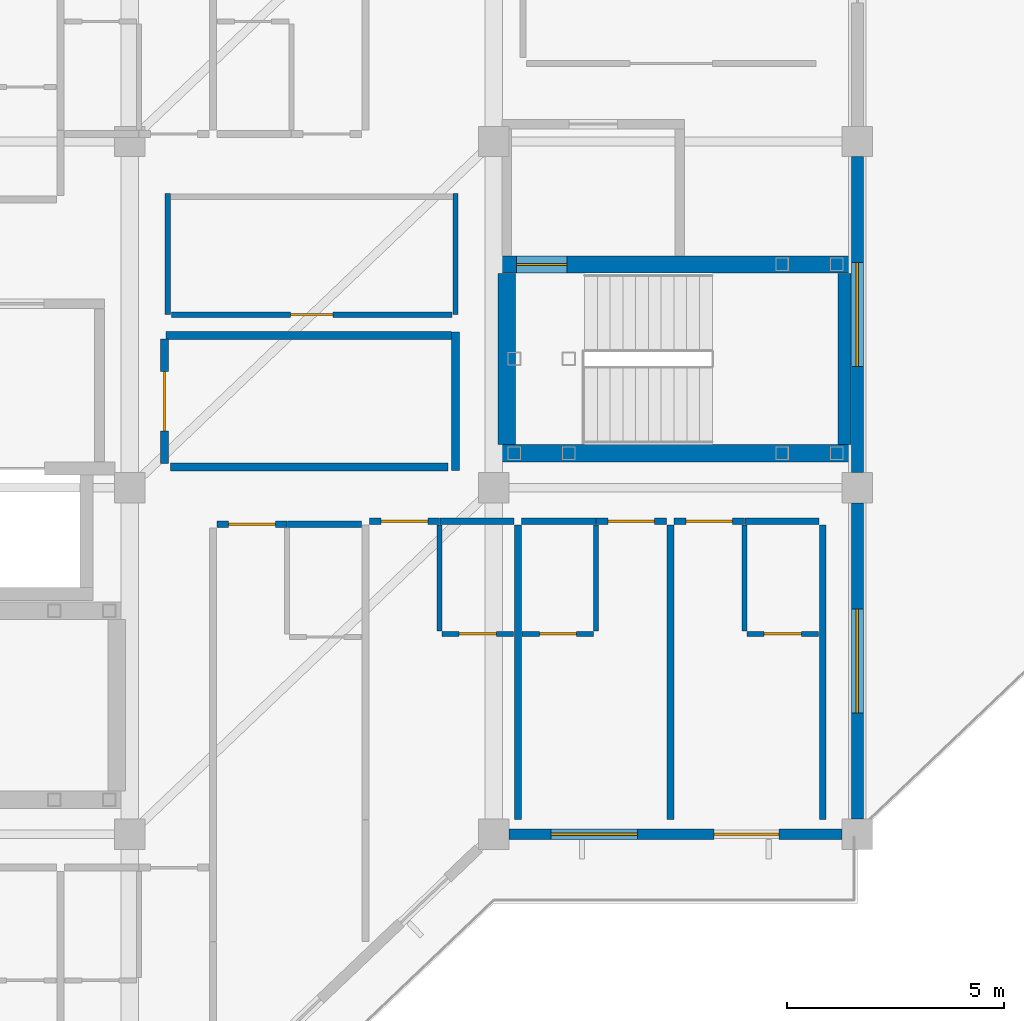
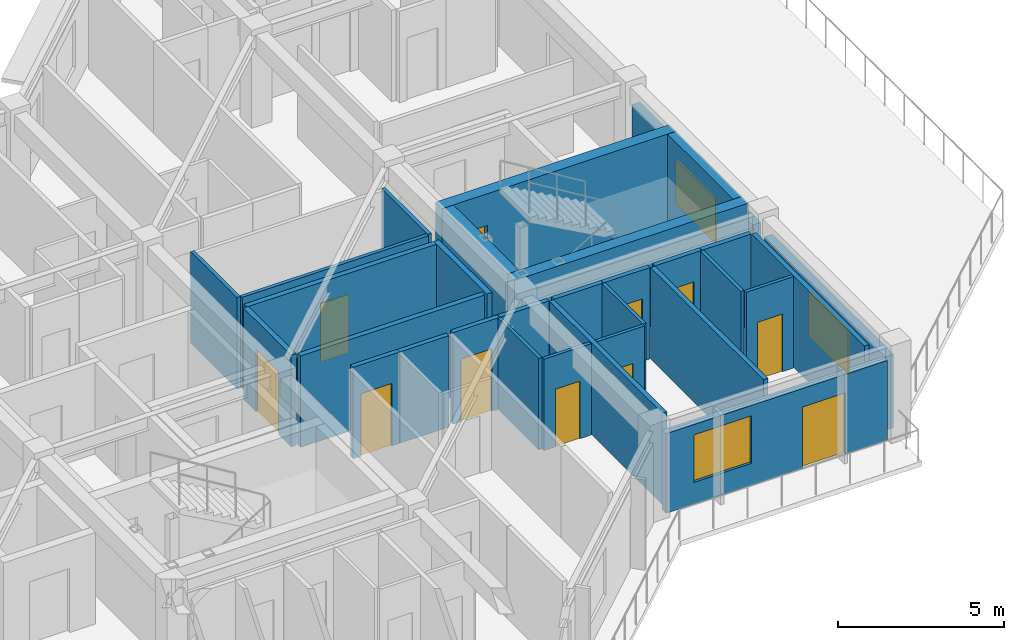
# One storey, part 10 of 16: 31 walls, 11 doors, 3 windows, 14 openings.
"""IFC4 building model written with IfcOpenShell, lengths in metres."""

from ifc_helpers import new_model, si_unit, direction, frame, frame_2d, origin, place, context, subcontext, project, spatial, rectangle, extrude, material, layer, layer_set, type_object, element, fill, save


model = new_model("IFC4")

# Units and contexts
model_context = context("Model", 3, precision=1e-05, world=origin(), true_north=direction((0.0, 1.0)))
body_context = subcontext(model_context, "Body", "Model", "MODEL_VIEW")
ifc_project = project(units=[si_unit("LENGTHUNIT", "METRE"), si_unit("AREAUNIT", "SQUARE_METRE"), si_unit("VOLUMEUNIT", "CUBIC_METRE"), si_unit("PLANEANGLEUNIT", "RADIAN"), si_unit("MASSUNIT", "GRAM", prefix="KILO")], contexts=[model_context])

# Site, building, storey
site_placement = place(None, origin())
site = spatial("IfcSite", under=ifc_project, at=site_placement, CompositionType="ELEMENT")
building_placement = place(site_placement, origin())
building = spatial("IfcBuilding", under=site, at=building_placement, Name="Naruveol Harbour Congress Hotel", CompositionType="ELEMENT")
storey_placement = place(building_placement, frame((0.0, 0.0, 28.800048828125)))
storey = spatial("IfcBuildingStorey", under=building, at=storey_placement, Name="L06", CompositionType="ELEMENT", Elevation=28.800048828125)

# Wall, opening, door
ifc_material_1 = material(Name="Autoclaved Aerated Concrete Block", Category="concrete")
ifc_layer_1 = layer(ifc_material_1, 0.179931640625)
ifc_layer_set_1 = layer_set([ifc_layer_1], Name="Autoclaved Aerated Concrete Block")
wall_type_1 = type_object("IfcWallType", Name="ACOUSTIC HALL PARTITION WALL 180 EI60", PredefinedType="PARTITIONING", material=ifc_layer_set_1)
wall_1_placement = place(storey_placement, frame((160.39990234375, 24.56005859375, 0.0), z_axis=(0.0, 0.0, 1.0), x_axis=(0.0, 1.0, 0.0)))
wall_1 = element("IfcWall", 1, at=wall_1_placement, inside=storey, type_object=wall_type_1, Name="Club Boardroom west entry wall PW-180", PredefinedType="PARTITIONING", context=body_context, shape_type="SweptSolid", body=[
    extrude(rectangle(XDim=2.8798828125, YDim=0.179931640625, at=frame_2d((1.43994140625, 0.0))), origin(), (0.0, 0.0, 1.0), 3.364990234375),
])
opening_1_placement = place(wall_1_placement, frame((0.75, 0.0, 0.0)))
opening_1 = element("IfcOpeningElement", 2, at=opening_1_placement, cuts=wall_1, Name="Opening ID-BD-109", PredefinedType="OPENING", context=body_context, shape_type="SweptSolid", body=[
    extrude(rectangle(XDim=1.3798828125, YDim=2.300048828125, at=frame_2d((0.68994140625, 1.14990234375))), frame((0.0, 0.099853515625, 0.0), z_axis=(0.0, -1.0, 0.0), x_axis=(1.0, 0.0, 0.0)), (0.0, 0.0, 1.0), 0.199951171875),
])
ifc_material_2 = material(Name="Timber & Steel Acoustic Leaf", Category="steel")
door_type_1 = type_object("IfcDoorType", Name="BOARDROOM GLAZED DOUBLE DOOR 1380X2300", OperationType="DOUBLE_DOOR_SINGLE_SWING", PredefinedType="DOOR", material=ifc_material_2)
door_1_placement = place(opening_1_placement, origin())
door_1 = element("IfcDoor", 3, at=door_1_placement, inside=storey, type_object=door_type_1, Name="Club Boardroom Entrance Door", OperationType="DOUBLE_DOOR_SINGLE_SWING", OverallHeight=2.300048828125, OverallWidth=1.3798828125, PredefinedType="DOOR", context=body_context, shape_type="SweptSolid", body=[
    extrude(rectangle(XDim=1.3798828125, YDim=2.300048828125, at=frame_2d((0.68994140625, 1.14990234375))), frame((0.0, 0.02490234375, 0.0), z_axis=(0.0, -1.0, 0.0), x_axis=(1.0, 0.0, 0.0)), (0.0, 0.0, 1.0), 0.050048828125),
])
fill(opening_1, door_1)

# Walls
wall_2_placement = place(storey_placement, frame((160.5400390625, 24.47998046875, 0.0), z_axis=(0.0, 0.0, 1.0), x_axis=(1.0, 0.0, 0.0)))
element("IfcWall", 4, at=wall_2_placement, inside=storey, type_object=wall_type_1, Name="Club Boardroom south partition PW-180", PredefinedType="PARTITIONING", context=body_context, shape_type="SweptSolid", body=[
    extrude(rectangle(XDim=6.409912109375, YDim=0.179931640625, at=frame_2d((3.205078125, 0.0))), origin(), (0.0, 0.0, 1.0), 3.364990234375),
])
wall_3_placement = place(storey_placement, frame((167.1201171875, 24.39990234375, 0.0), z_axis=(0.0, 0.0, 1.0), x_axis=(0.0, 1.0, 0.0)))
element("IfcWall", 5, at=wall_3_placement, inside=storey, type_object=wall_type_1, Name="Club Boardroom east enclosure partition PW-180", PredefinedType="PARTITIONING", context=body_context, shape_type="SweptSolid", body=[
    extrude(rectangle(XDim=3.2001953125, YDim=0.179931640625, at=frame_2d((1.60009765625, 0.0))), origin(), (0.0, 0.0, 1.0), 3.364990234375),
])
wall_4_placement = place(storey_placement, frame((160.431884765625, 27.52001953125, 0.0), z_axis=(0.0, 0.0, 1.0), x_axis=(1.0, 0.0, 0.0)))
element("IfcWall", 6, at=wall_4_placement, inside=storey, type_object=wall_type_1, Name="Club Boardroom north enclosure partition PW-180", PredefinedType="PARTITIONING", context=body_context, shape_type="SweptSolid", body=[
    extrude(rectangle(XDim=6.59814453125, YDim=0.179931640625, at=frame_2d((3.299072265625, 0.0))), origin(), (0.0, 0.0, 1.0), 3.364990234375),
])

# Wall, opening, window
ifc_material_3 = material(Name="Precast concrete C40/50", Category="concrete")
ifc_layer_2 = layer(ifc_material_3, 0.280029296875)
ifc_layer_set_2 = layer_set([ifc_layer_2], Name="Precast concrete C40/50")
wall_type_2 = type_object("IfcWallType", Name="ARCHITECTURAL PRECAST FACADE WALL 280", PredefinedType="SOLIDWALL", material=ifc_layer_set_2)
wall_5_placement = place(storey_placement, frame((176.39990234375, 31.64990234375, 0.0), z_axis=(0.0, 0.0, 1.0), x_axis=(0.0, -1.0, 0.0)))
wall_5 = element("IfcWall", 7, at=wall_5_placement, inside=storey, type_object=wall_type_2, Name="Hotel east gable wall L06 EW-280", PredefinedType="SOLIDWALL", context=body_context, shape_type="SweptSolid", body=[
    extrude(rectangle(XDim=7.2998046875, YDim=0.280029296875, at=frame_2d((3.64990234375, 0.0))), origin(), (0.0, 0.0, 1.0), 2.699951171875),
])
opening_2_placement = place(wall_5_placement, frame((2.449951171875, 0.0, 0.5)))
opening_2 = element("IfcOpeningElement", 8, at=opening_2_placement, cuts=wall_5, Name="Opening W-07", PredefinedType="OPENING", context=body_context, shape_type="SweptSolid", body=[
    extrude(rectangle(XDim=2.39990234375, YDim=1.64990234375, at=frame_2d((1.199951171875, 0.824951171875))), frame((0.0, 0.14990234375, 0.0), z_axis=(0.0, -1.0, 0.0), x_axis=(1.0, 0.0, 0.0)), (0.0, 0.0, 1.0), 0.300048828125),
])
ifc_material_4 = material(Name="Low-E Triple Glazing in Thermal Aluminium", Category="aluminium")
window_type_1 = type_object("IfcWindowType", Name="CORNER SUITE WINDOW 2400X1650", PartitioningType="DOUBLE_PANEL_VERTICAL", PredefinedType="WINDOW", material=ifc_material_4)
window_1_placement = place(opening_2_placement, origin())
window_1 = element("IfcWindow", 9, at=window_1_placement, inside=storey, type_object=window_type_1, Name="Window W-07 #374", OverallHeight=1.64990234375, OverallWidth=2.39990234375, PartitioningType="DOUBLE_PANEL_VERTICAL", PredefinedType="WINDOW", context=body_context, shape_type="SweptSolid", body=[
    extrude(rectangle(XDim=2.39990234375, YDim=1.64990234375, at=frame_2d((1.199951171875, 0.824951171875))), frame((0.0, 0.030029296875, 0.0), z_axis=(0.0, -1.0, 0.0), x_axis=(1.0, 0.0, 0.0)), (0.0, 0.0, 1.0), 0.06005859375),
])
fill(opening_2, window_1)

wall_6_placement = place(storey_placement, frame((176.39990234375, 23.64990234375, 0.0), z_axis=(0.0, 0.0, 1.0), x_axis=(0.0, -1.0, 0.0)))
wall_6 = element("IfcWall", 10, at=wall_6_placement, inside=storey, type_object=wall_type_2, Name="Hotel east gable wall L06 EW-280", PredefinedType="SOLIDWALL", context=body_context, shape_type="SweptSolid", body=[
    extrude(rectangle(XDim=7.2998046875, YDim=0.280029296875, at=frame_2d((3.64990234375, 0.0))), origin(), (0.0, 0.0, 1.0), 2.699951171875),
])
opening_3_placement = place(wall_6_placement, frame((2.449951171875, 0.0, 0.5)))
opening_3 = element("IfcOpeningElement", 11, at=opening_3_placement, cuts=wall_6, Name="Opening W-07", PredefinedType="OPENING", context=body_context, shape_type="SweptSolid", body=[
    extrude(rectangle(XDim=2.39990234375, YDim=1.64990234375, at=frame_2d((1.199951171875, 0.824951171875))), frame((0.0, 0.14990234375, 0.0), z_axis=(0.0, -1.0, 0.0), x_axis=(1.0, 0.0, 0.0)), (0.0, 0.0, 1.0), 0.300048828125),
])
window_2_placement = place(opening_3_placement, origin())
window_2 = element("IfcWindow", 12, at=window_2_placement, inside=storey, type_object=window_type_1, Name="Window W-07 #375", OverallHeight=1.64990234375, OverallWidth=2.39990234375, PartitioningType="DOUBLE_PANEL_VERTICAL", PredefinedType="WINDOW", context=body_context, shape_type="SweptSolid", body=[
    extrude(rectangle(XDim=2.39990234375, YDim=1.64990234375, at=frame_2d((1.199951171875, 0.824951171875))), frame((0.0, 0.030029296875, 0.0), z_axis=(0.0, -1.0, 0.0), x_axis=(1.0, 0.0, 0.0)), (0.0, 0.0, 1.0), 0.06005859375),
])
fill(opening_3, window_2)

# Wall
ifc_material_5 = material(Name="Moisture-Resistant Gypsum Partition", Category="gypsum")
ifc_layer_3 = layer(ifc_material_5, 0.114990234375)
ifc_layer_set_3 = layer_set([ifc_layer_3], Name="Moisture-Resistant Gypsum Partition")
wall_type_3 = type_object("IfcWallType", Name="BATHROOM MOISTURE PARTITION WALL 115", PredefinedType="PARTITIONING", material=ifc_layer_set_3)
wall_7_placement = place(storey_placement, frame((166.75, 20.68994140625, 0.0), z_axis=(0.0, 0.0, 1.0), x_axis=(0.0, 1.0, 0.0)))
element("IfcWall", 13, at=wall_7_placement, inside=storey, type_object=wall_type_3, Name="Bathroom west wall 0767 PW-115", PredefinedType="PARTITIONING", context=body_context, shape_type="SweptSolid", body=[
    extrude(rectangle(XDim=2.449951171875, YDim=0.114990234375, at=frame_2d((1.22509765625, 0.0))), origin(), (0.0, 0.0, 1.0), 3.364990234375),
])

# Wall, opening, door
wall_8_placement = place(storey_placement, frame((166.81005859375, 20.6298828125, 0.0), z_axis=(0.0, 0.0, 1.0), x_axis=(1.0, 0.0, 0.0)))
wall_8 = element("IfcWall", 14, at=wall_8_placement, inside=storey, type_object=wall_type_3, Name="Bathroom south wall 0767 PW-115", PredefinedType="PARTITIONING", context=body_context, shape_type="SweptSolid", body=[
    extrude(rectangle(XDim=1.64990234375, YDim=0.114990234375, at=frame_2d((0.824951171875, 0.0))), origin(), (0.0, 0.0, 1.0), 3.364990234375),
])
opening_4_placement = place(wall_8_placement, frame((0.39501953125, 0.0, 0.0)))
opening_4 = element("IfcOpeningElement", 15, at=opening_4_placement, cuts=wall_8, Name="Opening BD-RM0767", PredefinedType="OPENING", context=body_context, shape_type="SweptSolid", body=[
    extrude(rectangle(XDim=0.860107421875, YDim=2.1201171875, at=frame_2d((0.43017578125, 1.06005859375))), frame((0.0, 0.0673828125, 0.0), z_axis=(0.0, -1.0, 0.0), x_axis=(1.0, 0.0, 0.0)), (0.0, 0.0, 1.0), 0.135009765625),
])
ifc_material_6 = material(Name="Timber & Steel Acoustic Leaf", Category="steel")
door_type_2 = type_object("IfcDoorType", Name="GUEST BATHROOM DOOR 860X2120", OperationType="NOTDEFINED", PredefinedType="DOOR", material=ifc_material_6)
door_2_placement = place(opening_4_placement, origin())
door_2 = element("IfcDoor", 16, at=door_2_placement, inside=storey, type_object=door_type_2, Name="Bathroom Door 0767", OperationType="SINGLE_SWING_RIGHT", OverallHeight=2.1201171875, OverallWidth=0.860107421875, PredefinedType="DOOR", context=body_context, shape_type="SweptSolid", body=[
    extrude(rectangle(XDim=0.860107421875, YDim=2.1201171875, at=frame_2d((0.43017578125, 1.06005859375))), frame((0.0, 0.02490234375, 0.0), z_axis=(0.0, -1.0, 0.0), x_axis=(1.0, 0.0, 0.0)), (0.0, 0.0, 1.0), 0.050048828125),
])
fill(opening_4, door_2)

# Wall
wall_9_placement = place(storey_placement, frame((170.3701171875, 20.68994140625, 0.0), z_axis=(0.0, 0.0, 1.0), x_axis=(0.0, 1.0, 0.0)))
element("IfcWall", 17, at=wall_9_placement, inside=storey, type_object=wall_type_3, Name="Bathroom east wall 0768 PW-115", PredefinedType="PARTITIONING", context=body_context, shape_type="SweptSolid", body=[
    extrude(rectangle(XDim=2.449951171875, YDim=0.114990234375, at=frame_2d((1.22509765625, 0.0))), origin(), (0.0, 0.0, 1.0), 3.364990234375),
])

# Wall, opening, door
wall_10_placement = place(storey_placement, frame((168.659912109375, 20.6298828125, 0.0), z_axis=(0.0, 0.0, 1.0), x_axis=(1.0, 0.0, 0.0)))
wall_10 = element("IfcWall", 18, at=wall_10_placement, inside=storey, type_object=wall_type_3, Name="Bathroom south wall 0768 PW-115", PredefinedType="PARTITIONING", context=body_context, shape_type="SweptSolid", body=[
    extrude(rectangle(XDim=1.650146484375, YDim=0.114990234375, at=frame_2d((0.8251953125, 0.0))), origin(), (0.0, 0.0, 1.0), 3.364990234375),
])
opening_5_placement = place(wall_10_placement, frame((0.39501953125, 0.0, 0.0)))
opening_5 = element("IfcOpeningElement", 19, at=opening_5_placement, cuts=wall_10, Name="Opening BD-RM0768", PredefinedType="OPENING", context=body_context, shape_type="SweptSolid", body=[
    extrude(rectangle(XDim=0.860107421875, YDim=2.1201171875, at=frame_2d((0.43017578125, 1.06005859375))), frame((0.0, 0.0673828125, 0.0), z_axis=(0.0, -1.0, 0.0), x_axis=(1.0, 0.0, 0.0)), (0.0, 0.0, 1.0), 0.135009765625),
])
door_3_placement = place(opening_5_placement, origin())
door_3 = element("IfcDoor", 20, at=door_3_placement, inside=storey, type_object=door_type_2, Name="Bathroom Door 0768", OperationType="SINGLE_SWING_RIGHT", OverallHeight=2.1201171875, OverallWidth=0.860107421875, PredefinedType="DOOR", context=body_context, shape_type="SweptSolid", body=[
    extrude(rectangle(XDim=0.860107421875, YDim=2.1201171875, at=frame_2d((0.43017578125, 1.06005859375))), frame((0.0, 0.02490234375, 0.0), z_axis=(0.0, -1.0, 0.0), x_axis=(1.0, 0.0, 0.0)), (0.0, 0.0, 1.0), 0.050048828125),
])
fill(opening_5, door_3)

# Wall
wall_11_placement = place(storey_placement, frame((173.7900390625, 20.68994140625, 0.0), z_axis=(0.0, 0.0, 1.0), x_axis=(0.0, 1.0, 0.0)))
element("IfcWall", 21, at=wall_11_placement, inside=storey, type_object=wall_type_3, Name="Bathroom west wall 0769 PW-115", PredefinedType="PARTITIONING", context=body_context, shape_type="SweptSolid", body=[
    extrude(rectangle(XDim=2.449951171875, YDim=0.114990234375, at=frame_2d((1.22509765625, 0.0))), origin(), (0.0, 0.0, 1.0), 3.364990234375),
])

# Wall, opening, door
wall_12_placement = place(storey_placement, frame((173.85009765625, 20.6298828125, 0.0), z_axis=(0.0, 0.0, 1.0), x_axis=(1.0, 0.0, 0.0)))
wall_12 = element("IfcWall", 22, at=wall_12_placement, inside=storey, type_object=wall_type_3, Name="Bathroom south wall 0769 PW-115", PredefinedType="PARTITIONING", context=body_context, shape_type="SweptSolid", body=[
    extrude(rectangle(XDim=1.64990234375, YDim=0.114990234375, at=frame_2d((0.824951171875, 0.0))), origin(), (0.0, 0.0, 1.0), 3.364990234375),
])
opening_6_placement = place(wall_12_placement, frame((0.39501953125, 0.0, 0.0)))
opening_6 = element("IfcOpeningElement", 23, at=opening_6_placement, cuts=wall_12, Name="Opening BD-RM0769", PredefinedType="OPENING", context=body_context, shape_type="SweptSolid", body=[
    extrude(rectangle(XDim=0.860107421875, YDim=2.1201171875, at=frame_2d((0.43017578125, 1.06005859375))), frame((0.0, 0.0673828125, 0.0), z_axis=(0.0, -1.0, 0.0), x_axis=(1.0, 0.0, 0.0)), (0.0, 0.0, 1.0), 0.135009765625),
])
door_4_placement = place(opening_6_placement, origin())
door_4 = element("IfcDoor", 24, at=door_4_placement, inside=storey, type_object=door_type_2, Name="Bathroom Door 0769", OperationType="SINGLE_SWING_RIGHT", OverallHeight=2.1201171875, OverallWidth=0.860107421875, PredefinedType="DOOR", context=body_context, shape_type="SweptSolid", body=[
    extrude(rectangle(XDim=0.860107421875, YDim=2.1201171875, at=frame_2d((0.43017578125, 1.06005859375))), frame((0.0, 0.02490234375, 0.0), z_axis=(0.0, -1.0, 0.0), x_axis=(1.0, 0.0, 0.0)), (0.0, 0.0, 1.0), 0.050048828125),
])
fill(opening_6, door_4)

ifc_material_7 = material(Name="Autoclaved Aerated Concrete Block", Category="concrete")
ifc_layer_4 = layer(ifc_material_7, 0.159912109375)
ifc_layer_set_4 = layer_set([ifc_layer_4], Name="Autoclaved Aerated Concrete Block")
wall_type_4 = type_object("IfcWallType", Name="HOTEL PARTY AND CORRIDOR WALL 160 EI60", PredefinedType="PARTITIONING", material=ifc_layer_set_4)
wall_13_placement = place(storey_placement, frame((161.610107421875, 23.159912109375, 0.0), z_axis=(0.0, 0.0, 1.0), x_axis=(1.0, 0.0, 0.0)))
wall_13 = element("IfcWall", 25, at=wall_13_placement, inside=storey, type_object=wall_type_4, Name="Corridor entry wall 0766 PW-160", PredefinedType="PARTITIONING", context=body_context, shape_type="SweptSolid", body=[
    extrude(rectangle(XDim=1.619873046875, YDim=0.159912109375, at=frame_2d((0.81005859375, 0.0))), origin(), (0.0, 0.0, 1.0), 3.364990234375),
])
opening_7_placement = place(wall_13_placement, frame((0.27001953125, 0.0, 0.0)))
opening_7 = element("IfcOpeningElement", 26, at=opening_7_placement, cuts=wall_13, Name="Opening FD-RM0766", PredefinedType="OPENING", context=body_context, shape_type="SweptSolid", body=[
    extrude(rectangle(XDim=1.080078125, YDim=2.300048828125, at=frame_2d((0.5400390625, 1.14990234375))), frame((0.0, 0.08984375, 0.0), z_axis=(0.0, -1.0, 0.0), x_axis=(1.0, 0.0, 0.0)), (0.0, 0.0, 1.0), 0.179931640625),
])
ifc_material_8 = material(Name="Timber & Steel Acoustic Leaf", Category="steel")
door_type_3 = type_object("IfcDoorType", Name="SUITE ENTRANCE FIRE DOOR 1080X2300", OperationType="NOTDEFINED", PredefinedType="DOOR", material=ifc_material_8)
door_5_placement = place(opening_7_placement, origin())
door_5 = element("IfcDoor", 27, at=door_5_placement, inside=storey, type_object=door_type_3, Name="Hotel Room Door 0766", OperationType="SINGLE_SWING_LEFT", OverallHeight=2.300048828125, OverallWidth=1.080078125, PredefinedType="DOOR", context=body_context, shape_type="SweptSolid", body=[
    extrude(rectangle(XDim=1.080078125, YDim=2.300048828125, at=frame_2d((0.5400390625, 1.14990234375))), frame((0.0, 0.02490234375, 0.0), z_axis=(0.0, -1.0, 0.0), x_axis=(1.0, 0.0, 0.0)), (0.0, 0.0, 1.0), 0.050048828125),
])
fill(opening_7, door_5)

# Wall
wall_14_placement = place(storey_placement, frame((163.239990234375, 23.159912109375, 0.0), z_axis=(0.0, 0.0, 1.0), x_axis=(1.0, 0.0, 0.0)))
element("IfcWall", 28, at=wall_14_placement, inside=storey, type_object=wall_type_4, Name="Corridor wall 0766B PW-160", PredefinedType="PARTITIONING", context=body_context, shape_type="SweptSolid", body=[
    extrude(rectangle(XDim=1.7099609375, YDim=0.159912109375, at=frame_2d((0.85498046875, 0.0))), origin(), (0.0, 0.0, 1.0), 3.364990234375),
])

# Wall, opening, door
wall_15_placement = place(storey_placement, frame((165.1298828125, 23.22998046875, 0.0), z_axis=(0.0, 0.0, 1.0), x_axis=(1.0, 0.0, 0.0)))
wall_15 = element("IfcWall", 29, at=wall_15_placement, inside=storey, type_object=wall_type_4, Name="Corridor entry wall 0767 PW-160", PredefinedType="PARTITIONING", context=body_context, shape_type="SweptSolid", body=[
    extrude(rectangle(XDim=1.6201171875, YDim=0.159912109375, at=frame_2d((0.81005859375, 0.0))), origin(), (0.0, 0.0, 1.0), 3.364990234375),
])
opening_8_placement = place(wall_15_placement, frame((0.27001953125, 0.0, 0.0)))
opening_8 = element("IfcOpeningElement", 30, at=opening_8_placement, cuts=wall_15, Name="Opening FD-RM0767", PredefinedType="OPENING", context=body_context, shape_type="SweptSolid", body=[
    extrude(rectangle(XDim=1.080078125, YDim=2.300048828125, at=frame_2d((0.5400390625, 1.14990234375))), frame((0.0, 0.08984375, 0.0), z_axis=(0.0, -1.0, 0.0), x_axis=(1.0, 0.0, 0.0)), (0.0, 0.0, 1.0), 0.179931640625),
])
door_6_placement = place(opening_8_placement, origin())
door_6 = element("IfcDoor", 31, at=door_6_placement, inside=storey, type_object=door_type_3, Name="Hotel Room Door 0767", OperationType="SINGLE_SWING_LEFT", OverallHeight=2.300048828125, OverallWidth=1.080078125, PredefinedType="DOOR", context=body_context, shape_type="SweptSolid", body=[
    extrude(rectangle(XDim=1.080078125, YDim=2.300048828125, at=frame_2d((0.5400390625, 1.14990234375))), frame((0.0, 0.02490234375, 0.0), z_axis=(0.0, -1.0, 0.0), x_axis=(1.0, 0.0, 0.0)), (0.0, 0.0, 1.0), 0.050048828125),
])
fill(opening_8, door_6)

# Walls
wall_16_placement = place(storey_placement, frame((166.760009765625, 23.22998046875, 0.0), z_axis=(0.0, 0.0, 1.0), x_axis=(1.0, 0.0, 0.0)))
element("IfcWall", 32, at=wall_16_placement, inside=storey, type_object=wall_type_4, Name="Corridor wall 0767B PW-160", PredefinedType="PARTITIONING", context=body_context, shape_type="SweptSolid", body=[
    extrude(rectangle(XDim=1.7099609375, YDim=0.159912109375, at=frame_2d((0.85498046875, 0.0))), origin(), (0.0, 0.0, 1.0), 3.364990234375),
])
wall_17_placement = place(storey_placement, frame((168.64990234375, 23.22998046875, 0.0), z_axis=(0.0, 0.0, 1.0), x_axis=(1.0, 0.0, 0.0)))
element("IfcWall", 33, at=wall_17_placement, inside=storey, type_object=wall_type_4, Name="Corridor wall 0768B PW-160", PredefinedType="PARTITIONING", context=body_context, shape_type="SweptSolid", body=[
    extrude(rectangle(XDim=1.710205078125, YDim=0.159912109375, at=frame_2d((0.85498046875, 0.0))), origin(), (0.0, 0.0, 1.0), 3.364990234375),
])

# Wall, opening, door
wall_18_placement = place(storey_placement, frame((170.3701171875, 23.22998046875, 0.0), z_axis=(0.0, 0.0, 1.0), x_axis=(1.0, 0.0, 0.0)))
wall_18 = element("IfcWall", 34, at=wall_18_placement, inside=storey, type_object=wall_type_4, Name="Corridor entry wall 0768 PW-160", PredefinedType="PARTITIONING", context=body_context, shape_type="SweptSolid", body=[
    extrude(rectangle(XDim=1.619873046875, YDim=0.159912109375, at=frame_2d((0.81005859375, 0.0))), origin(), (0.0, 0.0, 1.0), 3.364990234375),
])
opening_9_placement = place(wall_18_placement, frame((0.27001953125, 0.0, 0.0)))
opening_9 = element("IfcOpeningElement", 35, at=opening_9_placement, cuts=wall_18, Name="Opening FD-RM0768", PredefinedType="OPENING", context=body_context, shape_type="SweptSolid", body=[
    extrude(rectangle(XDim=1.080078125, YDim=2.300048828125, at=frame_2d((0.5400390625, 1.14990234375))), frame((0.0, 0.08984375, 0.0), z_axis=(0.0, -1.0, 0.0), x_axis=(1.0, 0.0, 0.0)), (0.0, 0.0, 1.0), 0.179931640625),
])
door_7_placement = place(opening_9_placement, origin())
door_7 = element("IfcDoor", 36, at=door_7_placement, inside=storey, type_object=door_type_3, Name="Hotel Room Door 0768", OperationType="SINGLE_SWING_LEFT", OverallHeight=2.300048828125, OverallWidth=1.080078125, PredefinedType="DOOR", context=body_context, shape_type="SweptSolid", body=[
    extrude(rectangle(XDim=1.080078125, YDim=2.300048828125, at=frame_2d((0.5400390625, 1.14990234375))), frame((0.0, 0.02490234375, 0.0), z_axis=(0.0, -1.0, 0.0), x_axis=(1.0, 0.0, 0.0)), (0.0, 0.0, 1.0), 0.050048828125),
])
fill(opening_9, door_7)

# Wall
wall_19_placement = place(storey_placement, frame((168.56005859375, 16.340087890625, 0.0), z_axis=(0.0, 0.0, 1.0), x_axis=(0.0, 1.0, 0.0)))
element("IfcWall", 37, at=wall_19_placement, inside=storey, type_object=wall_type_4, Name="Hotel party wall 0768 PW-160", PredefinedType="PARTITIONING", context=body_context, shape_type="SweptSolid", body=[
    extrude(rectangle(XDim=6.7998046875, YDim=0.159912109375, at=frame_2d((3.39990234375, 0.0))), origin(), (0.0, 0.0, 1.0), 3.364990234375),
])

# Wall, opening, door
wall_20_placement = place(storey_placement, frame((172.169921875, 23.22998046875, 0.0), z_axis=(0.0, 0.0, 1.0), x_axis=(1.0, 0.0, 0.0)))
wall_20 = element("IfcWall", 38, at=wall_20_placement, inside=storey, type_object=wall_type_4, Name="Corridor entry wall 0769 PW-160", PredefinedType="PARTITIONING", context=body_context, shape_type="SweptSolid", body=[
    extrude(rectangle(XDim=1.6201171875, YDim=0.159912109375, at=frame_2d((0.81005859375, 0.0))), origin(), (0.0, 0.0, 1.0), 3.364990234375),
])
opening_10_placement = place(wall_20_placement, frame((0.27001953125, 0.0, 0.0)))
opening_10 = element("IfcOpeningElement", 39, at=opening_10_placement, cuts=wall_20, Name="Opening FD-RM0769", PredefinedType="OPENING", context=body_context, shape_type="SweptSolid", body=[
    extrude(rectangle(XDim=1.080078125, YDim=2.300048828125, at=frame_2d((0.5400390625, 1.14990234375))), frame((0.0, 0.08984375, 0.0), z_axis=(0.0, -1.0, 0.0), x_axis=(1.0, 0.0, 0.0)), (0.0, 0.0, 1.0), 0.179931640625),
])
door_8_placement = place(opening_10_placement, origin())
door_8 = element("IfcDoor", 40, at=door_8_placement, inside=storey, type_object=door_type_3, Name="Hotel Room Door 0769", OperationType="SINGLE_SWING_LEFT", OverallHeight=2.300048828125, OverallWidth=1.080078125, PredefinedType="DOOR", context=body_context, shape_type="SweptSolid", body=[
    extrude(rectangle(XDim=1.080078125, YDim=2.300048828125, at=frame_2d((0.5400390625, 1.14990234375))), frame((0.0, 0.02490234375, 0.0), z_axis=(0.0, -1.0, 0.0), x_axis=(1.0, 0.0, 0.0)), (0.0, 0.0, 1.0), 0.050048828125),
])
fill(opening_10, door_8)

# Walls
wall_21_placement = place(storey_placement, frame((173.800048828125, 23.22998046875, 0.0), z_axis=(0.0, 0.0, 1.0), x_axis=(1.0, 0.0, 0.0)))
element("IfcWall", 41, at=wall_21_placement, inside=storey, type_object=wall_type_4, Name="Corridor wall 0769B PW-160", PredefinedType="PARTITIONING", context=body_context, shape_type="SweptSolid", body=[
    extrude(rectangle(XDim=1.7099609375, YDim=0.159912109375, at=frame_2d((0.85498046875, 0.0))), origin(), (0.0, 0.0, 1.0), 3.364990234375),
])
for number, where, z_axis, x_axis, name in (
    (42, (172.080078125, 16.340087890625, 0.0), (0.0, 0.0, 1.0), (0.0, 1.0, 0.0), "Hotel party wall 0769 PW-160"),
    (43, (175.60009765625, 16.340087890625, 0.0), (0.0, 0.0, 1.0), (0.0, 1.0, 0.0), "Hotel end party wall 0769 PW-160"),
):
    element("IfcWall", number, at=place(storey_placement, frame(where, z_axis=z_axis, x_axis=x_axis)), inside=storey, type_object=wall_type_4, Name=name, PredefinedType="PARTITIONING", context=body_context, shape_type="SweptSolid", body=[
        extrude(rectangle(XDim=6.7998046875, YDim=0.159912109375, at=frame_2d((3.39990234375, 0.0))), origin(), (0.0, 0.0, 1.0), 3.364990234375),
    ])

# Wall, openings, window, door
ifc_material_9 = material(Name="Concrete C40/50", Category="concrete")
ifc_layer_5 = layer(ifc_material_9, 0.239990234375)
ifc_layer_set_5 = layer_set([ifc_layer_5], Name="Concrete C40/50")
wall_type_5 = type_object("IfcWallType", Name="INSULATED HOTEL SPANDREL WALL 240", PredefinedType="SOLIDWALL", material=ifc_layer_set_5)
wall_22_placement = place(storey_placement, frame((176.050048828125, 16.0, 0.0), z_axis=(0.0, 0.0, 1.0), x_axis=(-1.0, 0.0, 0.0)))
wall_22 = element("IfcWall", 44, at=wall_22_placement, inside=storey, type_object=wall_type_5, Name="Hotel south waterfront wall L06 EW-240", PredefinedType="SOLIDWALL", context=body_context, shape_type="SweptSolid", body=[
    extrude(rectangle(XDim=7.699951171875, YDim=0.239990234375, at=frame_2d((3.85009765625, 0.0))), origin(), (0.0, 0.0, 1.0), 2.929931640625),
])
opening_11_placement = place(wall_22_placement, frame((1.4599609375, 0.0, 0.0)))
opening_11 = element("IfcOpeningElement", 45, at=opening_11_placement, cuts=wall_22, Name="Opening BD-150-052", PredefinedType="OPENING", context=body_context, shape_type="SweptSolid", body=[
    extrude(rectangle(XDim=1.5, YDim=2.25, at=frame_2d((0.75, 1.125))), frame((0.0, 0.1298828125, 0.0), z_axis=(0.0, -1.0, 0.0), x_axis=(1.0, 0.0, 0.0)), (0.0, 0.0, 1.0), 0.260009765625),
])
opening_12_placement = place(wall_22_placement, frame((4.72998046875, 0.0, 0.800048828125)))
opening_12 = element("IfcOpeningElement", 46, at=opening_12_placement, cuts=wall_22, Name="Opening W-05", PredefinedType="OPENING", context=body_context, shape_type="SweptSolid", body=[
    extrude(rectangle(XDim=2.0, YDim=1.75, at=frame_2d((1.0, 0.875))), frame((0.0, 0.1298828125, 0.0), z_axis=(0.0, -1.0, 0.0), x_axis=(1.0, 0.0, 0.0)), (0.0, 0.0, 1.0), 0.260009765625),
])
ifc_material_10 = material(Name="Low-E Triple Glazing in Thermal Aluminium", Category="aluminium")
window_type_2 = type_object("IfcWindowType", Name="GARDEN SUITE WINDOW 2000X1750", PartitioningType="DOUBLE_PANEL_VERTICAL", PredefinedType="WINDOW", material=ifc_material_10)
window_3_placement = place(opening_12_placement, origin())
window_3 = element("IfcWindow", 47, at=window_3_placement, inside=storey, type_object=window_type_2, Name="Window W-05 #370", OverallHeight=1.75, OverallWidth=2.0, PartitioningType="DOUBLE_PANEL_VERTICAL", PredefinedType="WINDOW", context=body_context, shape_type="SweptSolid", body=[
    extrude(rectangle(XDim=2.0, YDim=1.75, at=frame_2d((1.0, 0.875))), frame((0.0, 0.030029296875, 0.0), z_axis=(0.0, -1.0, 0.0), x_axis=(1.0, 0.0, 0.0)), (0.0, 0.0, 1.0), 0.06005859375),
])
fill(opening_12, window_3)
ifc_material_11 = material(Name="Powder-Coated Steel & Insulated Glazing", Category="steel")
door_type_4 = type_object("IfcDoorType", Name="SUITE BALCONY SLIDING DOOR 1500X2250", OperationType="SLIDING_TO_LEFT", PredefinedType="DOOR", material=ifc_material_11)
door_9_placement = place(opening_11_placement, origin())
door_9 = element("IfcDoor", 48, at=door_9_placement, inside=storey, type_object=door_type_4, Name="Exterior door BD-150-052", OperationType="SLIDING_TO_LEFT", OverallHeight=2.25, OverallWidth=1.5, PredefinedType="DOOR", context=body_context, shape_type="SweptSolid", body=[
    extrude(rectangle(XDim=1.5, YDim=2.25, at=frame_2d((0.75, 1.125))), frame((0.0, 0.02490234375, 0.0), z_axis=(0.0, -1.0, 0.0), x_axis=(1.0, 0.0, 0.0)), (0.0, 0.0, 1.0), 0.050048828125),
])
fill(opening_11, door_9)

# Wall
ifc_material_12 = material(Name="Concrete C50/60", Category="concrete")
ifc_layer_6 = layer(ifc_material_12, 0.39990234375)
ifc_layer_set_6 = layer_set([ifc_layer_6], Name="Concrete C50/60")
wall_type_6 = type_object("IfcWallType", Name="RC CORE SHEAR WALL 400 EI120", PredefinedType="SHEAR", material=ifc_layer_set_6)
wall_23_placement = place(storey_placement, frame((168.10009765625, 24.800048828125, 0.0), z_axis=(0.0, 0.0, 1.0), x_axis=(1.0, 0.0, 0.0)))
element("IfcWall", 49, at=wall_23_placement, inside=storey, type_object=wall_type_6, Name="Stair ST4 south core wall CW-400", PredefinedType="SHEAR", context=body_context, shape_type="SweptSolid", body=[
    extrude(rectangle(XDim=8.14990234375, YDim=0.39990234375, at=frame_2d((4.074951171875, 0.0))), origin(), (0.0, 0.0, 1.0), 3.364990234375),
])

# Wall, opening, door
wall_24_placement = place(storey_placement, frame((168.10009765625, 29.159912109375, 0.0), z_axis=(0.0, 0.0, 1.0), x_axis=(1.0, 0.0, 0.0)))
wall_24 = element("IfcWall", 50, at=wall_24_placement, inside=storey, type_object=wall_type_6, Name="Stair ST4 north core wall CW-400", PredefinedType="SHEAR", context=body_context, shape_type="SweptSolid", body=[
    extrude(rectangle(XDim=8.14990234375, YDim=0.39990234375, at=frame_2d((4.074951171875, 0.0))), origin(), (0.0, 0.0, 1.0), 3.364990234375),
])
opening_13_placement = place(wall_24_placement, frame((0.429931640625, 0.0, 0.0)))
opening_13 = element("IfcOpeningElement", 51, at=opening_13_placement, cuts=wall_24, Name="Opening FD-ST4-S-L06", PredefinedType="OPENING", context=body_context, shape_type="SweptSolid", body=[
    extrude(rectangle(XDim=1.159912109375, YDim=2.199951171875, at=frame_2d((0.580078125, 1.10009765625))), frame((0.0, 0.2099609375, 0.0), z_axis=(0.0, -1.0, 0.0), x_axis=(1.0, 0.0, 0.0)), (0.0, 0.0, 1.0), 0.419921875),
])
ifc_material_13 = material(Name="Timber & Steel Acoustic Leaf", Category="steel")
door_type_5 = type_object("IfcDoorType", Name="SPECIAL ESCAPE STAIR FIRE DOOR 1160X2200", OperationType="NOTDEFINED", PredefinedType="DOOR", material=ifc_material_13)
door_10_placement = place(opening_13_placement, origin())
door_10 = element("IfcDoor", 52, at=door_10_placement, inside=storey, type_object=door_type_5, Name="Special Escape Stair Door ST4 L06", OperationType="SINGLE_SWING_RIGHT", OverallHeight=2.199951171875, OverallWidth=1.159912109375, PredefinedType="DOOR", context=body_context, shape_type="SweptSolid", body=[
    extrude(rectangle(XDim=1.159912109375, YDim=2.199951171875, at=frame_2d((0.580078125, 1.10009765625))), frame((0.0, 0.02490234375, 0.0), z_axis=(0.0, -1.0, 0.0), x_axis=(1.0, 0.0, 0.0)), (0.0, 0.0, 1.0), 0.050048828125),
])
fill(opening_13, door_10)

# Walls
wall_25_placement = place(storey_placement, frame((168.300048828125, 25.0048828125, 0.0), z_axis=(0.0, 0.0, 1.0), x_axis=(0.0, 1.0, 0.0)))
element("IfcWall", 53, at=wall_25_placement, inside=storey, type_object=wall_type_6, Name="Stair ST4 west core wall CW-400", PredefinedType="SHEAR", context=body_context, shape_type="SweptSolid", body=[
    extrude(rectangle(XDim=3.9501953125, YDim=0.39990234375, at=frame_2d((1.97509765625, 0.0))), origin(), (0.0, 0.0, 1.0), 3.364990234375),
])
ifc_material_14 = material(Name="Concrete C50/60", Category="concrete")
ifc_layer_7 = layer(ifc_material_14, 0.300048828125)
ifc_layer_set_7 = layer_set([ifc_layer_7], Name="Concrete C50/60")
wall_type_7 = type_object("IfcWallType", Name="RC STAIR AND HOISTWAY SHEAR WALL 300 EI120", PredefinedType="SHEAR", material=ifc_layer_set_7)
wall_26_placement = place(storey_placement, frame((176.10009765625, 25.0048828125, 0.0), z_axis=(0.0, 0.0, 1.0), x_axis=(0.0, 1.0, 0.0)))
element("IfcWall", 54, at=wall_26_placement, inside=storey, type_object=wall_type_7, Name="Stair ST4 east core wall SW-300", PredefinedType="SHEAR", context=body_context, shape_type="SweptSolid", body=[
    extrude(rectangle(XDim=3.9501953125, YDim=0.300048828125, at=frame_2d((1.97509765625, 0.0))), origin(), (0.0, 0.0, 1.0), 3.364990234375),
])

# Wall, opening, door
ifc_material_15 = material(Name="Acoustic Double Stud Gypsum", Category="gypsum")
ifc_layer_8 = layer(ifc_material_15, 0.125)
ifc_layer_set_8 = layer_set([ifc_layer_8], Name="Acoustic Double Stud Gypsum")
wall_type_8 = type_object("IfcWallType", Name="SERVICE CHASE PARTITION WALL 125", PredefinedType="PARTITIONING", material=ifc_layer_set_8)
wall_27_placement = place(storey_placement, frame((160.56005859375, 28.0, 0.0), z_axis=(0.0, 0.0, 1.0), x_axis=(1.0, 0.0, 0.0)))
wall_27 = element("IfcWall", 55, at=wall_27_placement, inside=storey, type_object=wall_type_8, Name="Accessible Restroom south entry wall PW-125", PredefinedType="PARTITIONING", context=body_context, shape_type="SweptSolid", body=[
    extrude(rectangle(XDim=6.47998046875, YDim=0.125, at=frame_2d((3.239990234375, 0.0))), origin(), (0.0, 0.0, 1.0), 3.364990234375),
])
opening_14_placement = place(wall_27_placement, frame((2.75, 0.0, 0.0)))
opening_14 = element("IfcOpeningElement", 56, at=opening_14_placement, cuts=wall_27, Name="Opening BD-ACC-L06-110", PredefinedType="OPENING", context=body_context, shape_type="SweptSolid", body=[
    extrude(rectangle(XDim=0.97998046875, YDim=2.14990234375, at=frame_2d((0.489990234375, 1.074951171875))), frame((0.0, 0.072509765625, 0.0), z_axis=(0.0, -1.0, 0.0), x_axis=(1.0, 0.0, 0.0)), (0.0, 0.0, 1.0), 0.14501953125),
])
ifc_material_16 = material(Name="Timber & Steel Acoustic Leaf", Category="steel")
door_type_6 = type_object("IfcDoorType", Name="ACCESSIBLE RESTROOM DOOR 980X2150", OperationType="NOTDEFINED", PredefinedType="DOOR", material=ifc_material_16)
door_11_placement = place(opening_14_placement, origin())
door_11 = element("IfcDoor", 57, at=door_11_placement, inside=storey, type_object=door_type_6, Name="Accessible Restroom Door L06", OperationType="SINGLE_SWING_RIGHT", OverallHeight=2.14990234375, OverallWidth=0.97998046875, PredefinedType="DOOR", context=body_context, shape_type="SweptSolid", body=[
    extrude(rectangle(XDim=0.97998046875, YDim=2.14990234375, at=frame_2d((0.489990234375, 1.074951171875))), frame((0.0, 0.02490234375, 0.0), z_axis=(0.0, -1.0, 0.0), x_axis=(1.0, 0.0, 0.0)), (0.0, 0.0, 1.0), 0.050048828125),
])
fill(opening_14, door_11)

# Walls
for number, where, z_axis, x_axis, name in (
    (58, (160.47998046875, 28.00390625, 0.0), (0.0, 0.0, 1.0), (0.0, 1.0, 0.0), "Accessible Restroom west enclosure partition PW-125"),
    (59, (167.1201171875, 28.00390625, 0.0), (0.0, 0.0, 1.0), (0.0, 1.0, 0.0), "Accessible Restroom east enclosure partition PW-125"),
):
    element("IfcWall", number, at=place(storey_placement, frame(where, z_axis=z_axis, x_axis=x_axis)), inside=storey, type_object=wall_type_8, Name=name, PredefinedType="PARTITIONING", context=body_context, shape_type="SweptSolid", body=[
        extrude(rectangle(XDim=2.796142578125, YDim=0.125, at=frame_2d((1.39794921875, 0.0))), origin(), (0.0, 0.0, 1.0), 3.364990234375),
    ])

save(model, "model.ifc")
